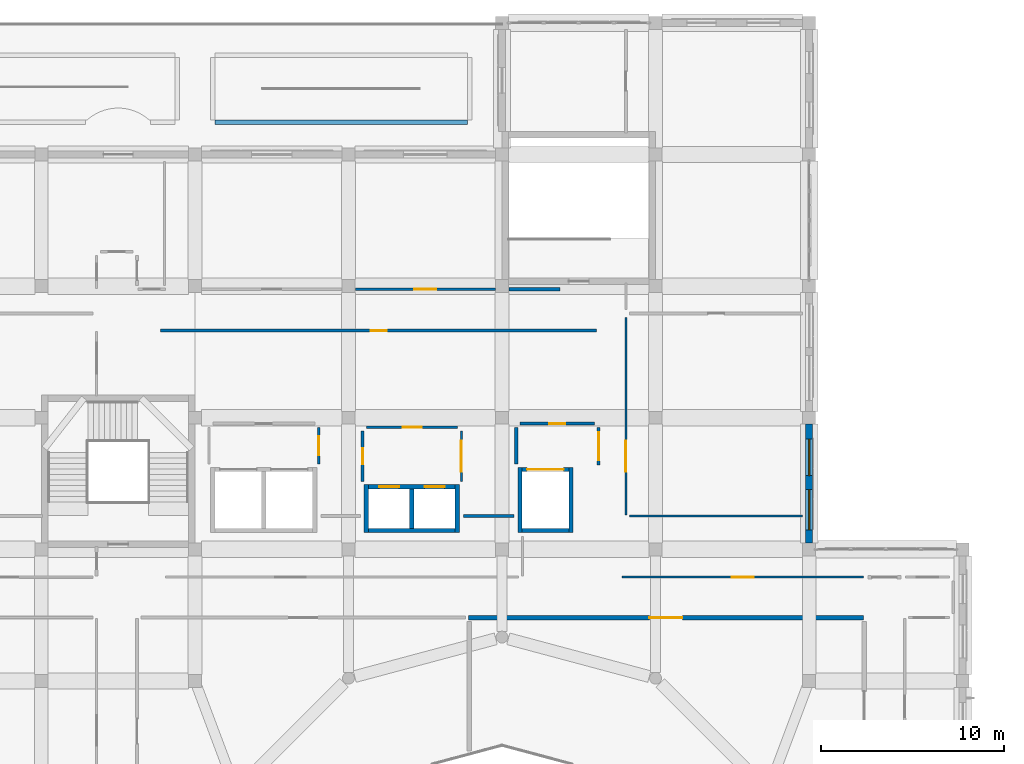
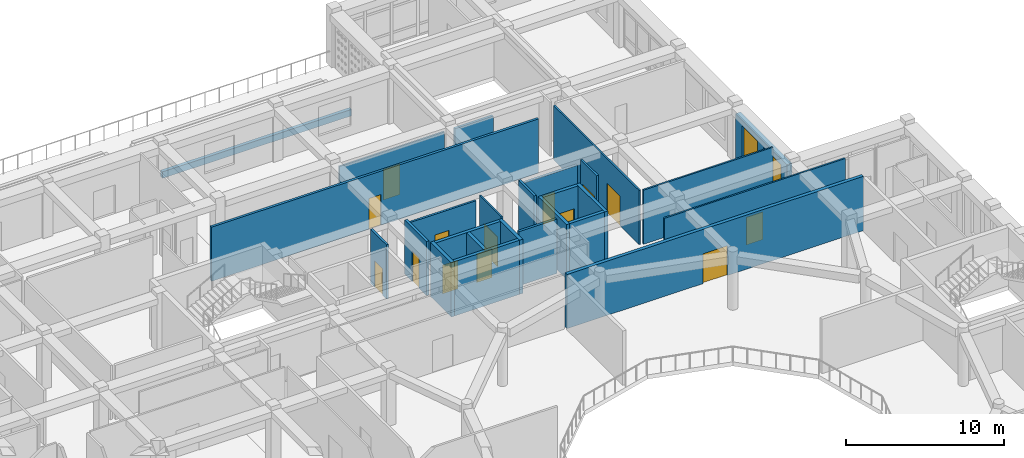
# One storey, part 49 of 79: 26 walls, 14 doors, 2 windows, 16 openings.
"""IFC4 building model written with IfcOpenShell, lengths in metres."""

from ifc_helpers import new_model, si_unit, derived_unit, direction, frame, frame_2d, origin, place, context, subcontext, project, spatial, rectangle, extrude, material, layer, layer_set, type_object, element, fill, save


model = new_model("IFC4")

# Units and contexts
model_context = context("Model", 3, precision=1e-05, world=origin(), true_north=direction((0.0, 1.0)))
body_context = subcontext(model_context, "Body", "Model", "MODEL_VIEW")
ifc_project = project(units=[si_unit("LENGTHUNIT", "METRE"), si_unit("AREAUNIT", "SQUARE_METRE"), si_unit("VOLUMEUNIT", "CUBIC_METRE"), si_unit("PLANEANGLEUNIT", "RADIAN"), si_unit("MASSUNIT", "GRAM", prefix="KILO"), derived_unit("THERMALTRANSMITTANCEUNIT", [(si_unit("POWERUNIT", "WATT"), 1), (si_unit("LENGTHUNIT", "METRE"), -2), (si_unit("THERMODYNAMICTEMPERATUREUNIT", "KELVIN"), -1)])], contexts=[model_context])

# Site, building, storey
site_placement = place(None, origin())
site = spatial("IfcSite", under=ifc_project, at=site_placement, CompositionType="ELEMENT")
building_placement = place(site_placement, origin())
building = spatial("IfcBuilding", under=site, at=building_placement, Name="Veybourne Emporium", CompositionType="ELEMENT")
storey_placement = place(building_placement, frame((0.0, 0.0, 18.89990234375)))
storey = spatial("IfcBuildingStorey", under=building, at=storey_placement, Name="L04", CompositionType="ELEMENT", Elevation=18.89990234375)

# Wall, openings, windows
ifc_material_1 = material(Name="Portland Limestone Ashlar", Category="masonry")
ifc_layer_1 = layer(ifc_material_1, 0.3798828125)
ifc_layer_set_1 = layer_set([ifc_layer_1], Name="Portland Limestone Ashlar")
wall_type_1 = type_object("IfcWallType", Name="ExtWall_EW-03", PredefinedType="SOLIDWALL", material=ifc_layer_set_1)
wall_1_placement = place(storey_placement, frame((92.39990234375, 78.85009765625, 0.0), z_axis=(0.0, 0.0, 1.0), x_axis=(0.0, -1.0, 0.0)))
wall_1 = element("IfcWall", 1, at=wall_1_placement, inside=storey, type_object=wall_type_1, Name="L04 Portland stone external wall 043", PredefinedType="SOLIDWALL", context=body_context, shape_type="SweptSolid", body=[
    extrude(rectangle(XDim=6.5, YDim=0.3798828125, at=frame_2d((3.25, 0.0))), origin(), (0.0, 0.0, 1.0), 3.630126953125),
])
opening_1_placement = place(wall_1_placement, frame((0.820068359375, 0.0, 0.75)))
opening_1 = element("IfcOpeningElement", 2, at=opening_1_placement, cuts=wall_1, Name="Opening W-29", PredefinedType="OPENING", context=body_context, shape_type="SweptSolid", body=[
    extrude(rectangle(XDim=2.0, YDim=2.43994140625, at=frame_2d((1.0, 1.219970703125))), frame((0.0, 0.2099609375, 0.0), z_axis=(0.0, -1.0, 0.0), x_axis=(1.0, 0.0, 0.0)), (0.0, 0.0, 1.0), 0.419921875),
])
opening_2_placement = place(wall_1_placement, frame((3.580078125, 0.0, 0.75)))
opening_2 = element("IfcOpeningElement", 3, at=opening_2_placement, cuts=wall_1, Name="Opening W-30", PredefinedType="OPENING", context=body_context, shape_type="SweptSolid", body=[
    extrude(rectangle(XDim=2.199951171875, YDim=2.43994140625, at=frame_2d((1.10009765625, 1.219970703125))), frame((0.0, 0.2099609375, 0.0), z_axis=(0.0, -1.0, 0.0), x_axis=(1.0, 0.0, 0.0)), (0.0, 0.0, 1.0), 0.419921875),
])
ifc_material_2 = material(Name="Low-E Triple Glazing", Category="glass")
window_type_1 = type_object("IfcWindowType", Name="Win_W-29", PartitioningType="TRIPLE_PANEL_VERTICAL", PredefinedType="WINDOW", material=ifc_material_2)
window_1_placement = place(opening_1_placement, origin())
window_1 = element("IfcWindow", 4, at=window_1_placement, inside=storey, type_object=window_type_1, Name="L04 tripartite bronze casement window W-29 (43.1)", OverallHeight=2.43994140625, OverallWidth=2.0, PartitioningType="TRIPLE_PANEL_VERTICAL", PredefinedType="WINDOW", context=body_context, shape_type="SweptSolid", body=[
    extrude(rectangle(XDim=2.0, YDim=2.43994140625, at=frame_2d((1.0, 1.219970703125))), frame((0.0, 0.030029296875, 0.0), z_axis=(0.0, -1.0, 0.0), x_axis=(1.0, 0.0, 0.0)), (0.0, 0.0, 1.0), 0.06005859375),
])
fill(opening_1, window_1)
window_type_2 = type_object("IfcWindowType", Name="Win_W-30", PartitioningType="TRIPLE_PANEL_VERTICAL", PredefinedType="WINDOW", material=ifc_material_2)
window_2_placement = place(opening_2_placement, origin())
window_2 = element("IfcWindow", 5, at=window_2_placement, inside=storey, type_object=window_type_2, Name="L04 tripartite bronze casement window W-30 (43.2)", OverallHeight=2.43994140625, OverallWidth=2.199951171875, PartitioningType="TRIPLE_PANEL_VERTICAL", PredefinedType="WINDOW", context=body_context, shape_type="SweptSolid", body=[
    extrude(rectangle(XDim=2.199951171875, YDim=2.43994140625, at=frame_2d((1.10009765625, 1.219970703125))), frame((0.0, 0.030029296875, 0.0), z_axis=(0.0, -1.0, 0.0), x_axis=(1.0, 0.0, 0.0)), (0.0, 0.0, 1.0), 0.06005859375),
])
fill(opening_2, window_2)

# Wall
ifc_material_3 = material(Name="Precast concrete C40/50", Category="concrete")
ifc_layer_2 = layer(ifc_material_3, 0.239990234375)
ifc_layer_set_2 = layer_set([ifc_layer_2], Name="Precast concrete C40/50")
wall_type_2 = type_object("IfcWallType", Name="ExtWall_PW-02", PredefinedType="PARAPET", material=ifc_layer_set_2)
wall_2_placement = place(storey_placement, frame((73.699951171875, 95.3701171875, 0.0), z_axis=(0.0, 0.0, 1.0), x_axis=(-1.0, 0.0, 0.0)))
element("IfcWall", 6, at=wall_2_placement, inside=storey, type_object=wall_type_2, Name="L04 planted roof-garden kerb 001", PredefinedType="PARAPET", context=body_context, shape_type="SweptSolid", body=[
    extrude(rectangle(XDim=13.800048828125, YDim=0.239990234375, at=frame_2d((6.89990234375, 0.0))), origin(), (0.0, 0.0, 1.0), 0.5),
])

# Wall, openings, doors
ifc_material_4 = material(Name="Concrete C40/50", Category="concrete")
ifc_layer_3 = layer(ifc_material_4, 0.239990234375)
ifc_layer_set_3 = layer_set([ifc_layer_3], Name="Concrete C40/50")
wall_type_3 = type_object("IfcWallType", Name="IntWall_CW-04", PredefinedType="SHEAR", material=ifc_layer_set_3)
wall_3_placement = place(storey_placement, frame((73.0400390625, 75.419921875, 0.0), z_axis=(0.0, 0.0, 1.0), x_axis=(-1.0, 0.0, 0.0)))
wall_3 = element("IfcWall", 7, at=wall_3_placement, inside=storey, type_object=wall_type_3, Name="Lift core C4P north shaft wall (L04)", PredefinedType="SHEAR", context=body_context, shape_type="SweptSolid", body=[
    extrude(rectangle(XDim=4.739990234375, YDim=0.239990234375, at=frame_2d((2.3701171875, 0.0))), origin(), (0.0, 0.0, 1.0), 4.18017578125),
])
opening_3_placement = place(wall_3_placement, frame((3.06494140625, 0.0, 0.0)))
opening_3 = element("IfcOpeningElement", 8, at=opening_3_placement, cuts=wall_3, Name="Opening LD-01", PredefinedType="OPENING", context=body_context, shape_type="SweptSolid", body=[
    extrude(rectangle(XDim=1.10009765625, YDim=2.199951171875, at=frame_2d((0.550048828125, 1.10009765625))), frame((0.0, 0.14013671875, 0.0), z_axis=(0.0, -1.0, 0.0), x_axis=(1.0, 0.0, 0.0)), (0.0, 0.0, 1.0), 0.280029296875),
])
opening_4_placement = place(wall_3_placement, frame((0.574951171875, 0.0, 0.0)))
opening_4 = element("IfcOpeningElement", 9, at=opening_4_placement, cuts=wall_3, Name="Opening LD-01", PredefinedType="OPENING", context=body_context, shape_type="SweptSolid", body=[
    extrude(rectangle(XDim=1.10009765625, YDim=2.199951171875, at=frame_2d((0.550048828125, 1.10009765625))), frame((0.0, 0.14013671875, 0.0), z_axis=(0.0, -1.0, 0.0), x_axis=(1.0, 0.0, 0.0)), (0.0, 0.0, 1.0), 0.280029296875),
])
ifc_material_5 = material(Name="Patinated Architectural Bronze", Category="bronze")
door_type_1 = type_object("IfcDoorType", Name="FireDoor_LD-01", OperationType="DOUBLE_DOOR_SLIDING", PredefinedType="DOOR", material=ifc_material_5)
door_1_placement = place(opening_3_placement, origin())
door_1 = element("IfcDoor", 10, at=door_1_placement, inside=storey, type_object=door_type_1, Name="Lift PL-05 sliding landing door (L04)", OperationType="DOUBLE_DOOR_SLIDING", OverallHeight=2.199951171875, OverallWidth=1.10009765625, PredefinedType="DOOR", context=body_context, shape_type="SweptSolid", body=[
    extrude(rectangle(XDim=1.10009765625, YDim=2.199951171875, at=frame_2d((0.550048828125, 1.10009765625))), frame((0.0, 0.02490234375, 0.0), z_axis=(0.0, -1.0, 0.0), x_axis=(1.0, 0.0, 0.0)), (0.0, 0.0, 1.0), 0.050048828125),
])
fill(opening_3, door_1)
door_2_placement = place(opening_4_placement, origin())
door_2 = element("IfcDoor", 11, at=door_2_placement, inside=storey, type_object=door_type_1, Name="Lift PL-06 sliding landing door (L04)", OperationType="DOUBLE_DOOR_SLIDING", OverallHeight=2.199951171875, OverallWidth=1.10009765625, PredefinedType="DOOR", context=body_context, shape_type="SweptSolid", body=[
    extrude(rectangle(XDim=1.10009765625, YDim=2.199951171875, at=frame_2d((0.550048828125, 1.10009765625))), frame((0.0, 0.02490234375, 0.0), z_axis=(0.0, -1.0, 0.0), x_axis=(1.0, 0.0, 0.0)), (0.0, 0.0, 1.0), 0.050048828125),
])
fill(opening_4, door_2)

# Walls
wall_4_placement = place(storey_placement, frame((68.300048828125, 73.030029296875, 0.0), z_axis=(0.0, 0.0, 1.0), x_axis=(1.0, 0.0, 0.0)))
element("IfcWall", 12, at=wall_4_placement, inside=storey, type_object=wall_type_3, Name="Lift core C4P south shaft wall (L04)", PredefinedType="SHEAR", context=body_context, shape_type="SweptSolid", body=[
    extrude(rectangle(XDim=4.739990234375, YDim=0.239990234375, at=frame_2d((2.3701171875, 0.0))), origin(), (0.0, 0.0, 1.0), 4.18017578125),
])
for number, where, z_axis, x_axis, name in (
    (13, (68.179931640625, 75.5400390625, 0.0), (0.0, 0.0, 1.0), (0.0, -1.0, 0.0), "Lift core C4P west shaft wall (L04)"),
    (14, (73.159912109375, 72.909912109375, 0.0), (0.0, 0.0, 1.0), (0.0, 1.0, 0.0), "Lift core C4P east shaft wall (L04)"),
):
    element("IfcWall", number, at=place(storey_placement, frame(where, z_axis=z_axis, x_axis=x_axis)), inside=storey, type_object=wall_type_3, Name=name, PredefinedType="SHEAR", context=body_context, shape_type="SweptSolid", body=[
        extrude(rectangle(XDim=2.630126953125, YDim=0.239990234375, at=frame_2d((1.31494140625, 0.0))), origin(), (0.0, 0.0, 1.0), 4.18017578125),
    ])
wall_5_placement = place(storey_placement, frame((70.669921875, 73.14990234375, 0.0), z_axis=(0.0, 0.0, 1.0), x_axis=(0.0, 1.0, 0.0)))
element("IfcWall", 15, at=wall_5_placement, inside=storey, type_object=wall_type_3, Name="Lift core C4P divider wall 1 (L04)", PredefinedType="SHEAR", context=body_context, shape_type="SweptSolid", body=[
    extrude(rectangle(XDim=2.150146484375, YDim=0.239990234375, at=frame_2d((1.0751953125, 0.0))), origin(), (0.0, 0.0, 1.0), 4.18017578125),
])

# Wall, opening, door
wall_6_placement = place(storey_placement, frame((79.25, 76.3701171875, 0.0), z_axis=(0.0, 0.0, 1.0), x_axis=(-1.0, 0.0, 0.0)))
wall_6 = element("IfcWall", 16, at=wall_6_placement, inside=storey, type_object=wall_type_3, Name="Lift core C4E north shaft wall (L04)", PredefinedType="SHEAR", context=body_context, shape_type="SweptSolid", body=[
    extrude(rectangle(XDim=2.550048828125, YDim=0.239990234375, at=frame_2d((1.27490234375, 0.0))), origin(), (0.0, 0.0, 1.0), 4.18017578125),
])
opening_5_placement = place(wall_6_placement, frame((0.27490234375, 0.0, 0.0)))
opening_5 = element("IfcOpeningElement", 17, at=opening_5_placement, cuts=wall_6, Name="Opening LD-03", PredefinedType="OPENING", context=body_context, shape_type="SweptSolid", body=[
    extrude(rectangle(XDim=2.0, YDim=2.5, at=frame_2d((1.0, 1.25))), frame((0.0, 0.14013671875, 0.0), z_axis=(0.0, -1.0, 0.0), x_axis=(1.0, 0.0, 0.0)), (0.0, 0.0, 1.0), 0.280029296875),
])
door_type_2 = type_object("IfcDoorType", Name="FireDoor_LD-03", OperationType="DOUBLE_DOOR_SLIDING", PredefinedType="DOOR", material=ifc_material_5)
door_3_placement = place(opening_5_placement, origin())
door_3 = element("IfcDoor", 18, at=door_3_placement, inside=storey, type_object=door_type_2, Name="Lift GL-03 sliding landing door (L04)", OperationType="DOUBLE_DOOR_SLIDING", OverallHeight=2.5, OverallWidth=2.0, PredefinedType="DOOR", context=body_context, shape_type="SweptSolid", body=[
    extrude(rectangle(XDim=2.0, YDim=2.5, at=frame_2d((1.0, 1.25))), frame((0.0, 0.02490234375, 0.0), z_axis=(0.0, -1.0, 0.0), x_axis=(1.0, 0.0, 0.0)), (0.0, 0.0, 1.0), 0.050048828125),
])
fill(opening_5, door_3)

# Walls
wall_7_placement = place(storey_placement, frame((76.699951171875, 73.030029296875, 0.0), z_axis=(0.0, 0.0, 1.0), x_axis=(1.0, 0.0, 0.0)))
element("IfcWall", 19, at=wall_7_placement, inside=storey, type_object=wall_type_3, Name="Lift core C4E south shaft wall (L04)", PredefinedType="SHEAR", context=body_context, shape_type="SweptSolid", body=[
    extrude(rectangle(XDim=2.550048828125, YDim=0.239990234375, at=frame_2d((1.27490234375, 0.0))), origin(), (0.0, 0.0, 1.0), 4.18017578125),
])
for number, where, z_axis, x_axis, name in (
    (20, (76.580078125, 76.489990234375, 0.0), (0.0, 0.0, 1.0), (0.0, -1.0, 0.0), "Lift core C4E west shaft wall (L04)"),
    (21, (79.3701171875, 72.909912109375, 0.0), (0.0, 0.0, 1.0), (0.0, 1.0, 0.0), "Lift core C4E east shaft wall (L04)"),
):
    element("IfcWall", number, at=place(storey_placement, frame(where, z_axis=z_axis, x_axis=x_axis)), inside=storey, type_object=wall_type_3, Name=name, PredefinedType="SHEAR", context=body_context, shape_type="SweptSolid", body=[
        extrude(rectangle(XDim=3.580078125, YDim=0.239990234375, at=frame_2d((1.7900390625, 0.0))), origin(), (0.0, 0.0, 1.0), 4.18017578125),
    ])

# Wall, opening, door
ifc_material_6 = material(Name="Concrete C32/40", Category="concrete")
ifc_layer_4 = layer(ifc_material_6, 0.25)
ifc_layer_set_4 = layer_set([ifc_layer_4], Name="Concrete C32/40")
wall_type_4 = type_object("IfcWallType", Name="IntWall_FW-01", PredefinedType="SOLIDWALL", material=ifc_layer_set_4)
wall_8_placement = place(storey_placement, frame((73.7548828125, 68.27001953125, 0.0), z_axis=(0.0, 0.0, 1.0), x_axis=(1.0, 0.0, 0.0)))
wall_8 = element("IfcWall", 22, at=wall_8_placement, inside=storey, type_object=wall_type_4, Name="L04 interior partition FW-01 #005", PredefinedType="SOLIDWALL", context=body_context, shape_type="SweptSolid", body=[
    extrude(rectangle(XDim=21.615234375, YDim=0.25, at=frame_2d((10.8076171875, 0.0))), origin(), (0.0, 0.0, 1.0), 4.18017578125),
])
opening_6_placement = place(wall_8_placement, frame((9.907470703125, 0.0, 0.0)))
opening_6 = element("IfcOpeningElement", 23, at=opening_6_placement, cuts=wall_8, Name="Opening FD-03", PredefinedType="OPENING", context=body_context, shape_type="SweptSolid", body=[
    extrude(rectangle(XDim=1.800048828125, YDim=2.300048828125, at=frame_2d((0.89990234375, 1.14990234375))), frame((0.0, 0.14501953125, 0.0), z_axis=(0.0, -1.0, 0.0), x_axis=(1.0, 0.0, 0.0)), (0.0, 0.0, 1.0), 0.2900390625),
])
door_type_3 = type_object("IfcDoorType", Name="FireDoor_FD-03", OperationType="DOUBLE_DOOR_SINGLE_SWING", PredefinedType="DOOR", material=ifc_material_5)
door_4_placement = place(opening_6_placement, origin())
door_4 = element("IfcDoor", 24, at=door_4_placement, inside=storey, type_object=door_type_3, Name="L04 interior door FD-03 (PART-L04-005)", OperationType="DOUBLE_DOOR_SINGLE_SWING", OverallHeight=2.300048828125, OverallWidth=1.800048828125, PredefinedType="DOOR", context=body_context, shape_type="SweptSolid", body=[
    extrude(rectangle(XDim=1.800048828125, YDim=2.300048828125, at=frame_2d((0.89990234375, 1.14990234375))), frame((0.0, 0.02490234375, 0.0), z_axis=(0.0, -1.0, 0.0), x_axis=(1.0, 0.0, 0.0)), (0.0, 0.0, 1.0), 0.050048828125),
])
fill(opening_6, door_4)

ifc_material_7 = material(Name="Gypsum Acoustic Board", Category="gypsum")
ifc_layer_5 = layer(ifc_material_7, 0.179931640625)
ifc_layer_set_5 = layer_set([ifc_layer_5], Name="Gypsum Acoustic Board")
wall_type_5 = type_object("IfcWallType", Name="IntWall_IW-01", PredefinedType="PARTITIONING", material=ifc_layer_set_5)
wall_9_placement = place(storey_placement, frame((56.919921875, 83.969970703125, 0.0), z_axis=(0.0, 0.0, 1.0), x_axis=(1.0, 0.0, 0.0)))
wall_9 = element("IfcWall", 25, at=wall_9_placement, inside=storey, type_object=wall_type_5, Name="L04 interior partition IW-01 #001", PredefinedType="PARTITIONING", context=body_context, shape_type="SweptSolid", body=[
    extrude(rectangle(XDim=23.85009765625, YDim=0.179931640625, at=frame_2d((11.925048828125, 0.0))), origin(), (0.0, 0.0, 1.0), 4.18017578125),
])
opening_7_placement = place(wall_9_placement, frame((11.485107421875, 0.0, 0.0)))
opening_7 = element("IfcOpeningElement", 26, at=opening_7_placement, cuts=wall_9, Name="Opening D-25", PredefinedType="OPENING", context=body_context, shape_type="SweptSolid", body=[
    extrude(rectangle(XDim=0.8798828125, YDim=2.3701171875, at=frame_2d((0.43994140625, 1.18505859375))), frame((0.0, 0.10986328125, 0.0), z_axis=(0.0, -1.0, 0.0), x_axis=(1.0, 0.0, 0.0)), (0.0, 0.0, 1.0), 0.219970703125),
])
ifc_material_8 = material(Name="European Oak Veneer and Bronze", Category="wood")
door_type_4 = type_object("IfcDoorType", Name="IntDoor_D-25", OperationType="NOTDEFINED", PredefinedType="DOOR", material=ifc_material_8)
door_5_placement = place(opening_7_placement, origin())
door_5 = element("IfcDoor", 27, at=door_5_placement, inside=storey, type_object=door_type_4, Name="L04 interior door D-25 (PART-L04-001)", OperationType="SINGLE_SWING_LEFT", OverallHeight=2.3701171875, OverallWidth=0.8798828125, PredefinedType="DOOR", context=body_context, shape_type="SweptSolid", body=[
    extrude(rectangle(XDim=0.8798828125, YDim=2.3701171875, at=frame_2d((0.43994140625, 1.18505859375))), frame((0.0, 0.02490234375, 0.0), z_axis=(0.0, -1.0, 0.0), x_axis=(1.0, 0.0, 0.0)), (0.0, 0.0, 1.0), 0.050048828125),
])
fill(opening_7, door_5)

# Wall
wall_10_placement = place(storey_placement, frame((75.969970703125, 86.22998046875, 0.0), z_axis=(0.0, 0.0, 1.0), x_axis=(1.0, 0.0, 0.0)))
element("IfcWall", 28, at=wall_10_placement, inside=storey, type_object=wall_type_5, Name="L04 interior partition IW-01 #004", PredefinedType="PARTITIONING", context=body_context, shape_type="SweptSolid", body=[
    extrude(rectangle(XDim=2.802978515625, YDim=0.179931640625, at=frame_2d((1.4013671875, 0.0))), origin(), (0.0, 0.0, 1.0), 3.72998046875),
])

# Wall, opening, door
wall_11_placement = place(storey_placement, frame((76.580078125, 78.8798828125, 0.0), z_axis=(0.0, 0.0, 1.0), x_axis=(1.0, 0.0, 0.0)))
wall_11 = element("IfcWall", 29, at=wall_11_placement, inside=storey, type_object=wall_type_5, Name="L04 interior partition IW-01 #061", PredefinedType="PARTITIONING", context=body_context, shape_type="SweptSolid", body=[
    extrude(rectangle(XDim=4.08984375, YDim=0.179931640625, at=frame_2d((2.044921875, 0.0))), origin(), (0.0, 0.0, 1.0), 3.72998046875),
])
opening_8_placement = place(wall_11_placement, frame((1.60498046875, 0.0, 0.0)))
opening_8 = element("IfcOpeningElement", 30, at=opening_8_placement, cuts=wall_11, Name="Opening D-13", PredefinedType="OPENING", context=body_context, shape_type="SweptSolid", body=[
    extrude(rectangle(XDim=0.8798828125, YDim=2.2099609375, at=frame_2d((0.43994140625, 1.10498046875))), frame((0.0, 0.10986328125, 0.0), z_axis=(0.0, -1.0, 0.0), x_axis=(1.0, 0.0, 0.0)), (0.0, 0.0, 1.0), 0.219970703125),
])
door_type_5 = type_object("IfcDoorType", Name="IntDoor_D-13", OperationType="NOTDEFINED", PredefinedType="DOOR", material=ifc_material_8)
door_6_placement = place(opening_8_placement, origin())
door_6 = element("IfcDoor", 31, at=door_6_placement, inside=storey, type_object=door_type_5, Name="L04 interior door D-13 (PART-L04-061)", OperationType="SINGLE_SWING_LEFT", OverallHeight=2.2099609375, OverallWidth=0.8798828125, PredefinedType="DOOR", context=body_context, shape_type="SweptSolid", body=[
    extrude(rectangle(XDim=0.8798828125, YDim=2.2099609375, at=frame_2d((0.43994140625, 1.10498046875))), frame((0.0, 0.02490234375, 0.0), z_axis=(0.0, -1.0, 0.0), x_axis=(1.0, 0.0, 0.0)), (0.0, 0.0, 1.0), 0.050048828125),
])
fill(opening_8, door_6)

wall_12_placement = place(storey_placement, frame((67.969970703125, 75.721923828125, 0.0), z_axis=(0.0, 0.0, 1.0), x_axis=(0.0, 1.0, 0.0)))
wall_12 = element("IfcWall", 32, at=wall_12_placement, inside=storey, type_object=wall_type_5, Name="L04 interior partition IW-01 #073", PredefinedType="PARTITIONING", context=body_context, shape_type="SweptSolid", body=[
    extrude(rectangle(XDim=2.748046875, YDim=0.179931640625, at=frame_2d((1.3740234375, 0.0))), origin(), (0.0, 0.0, 1.0), 4.18017578125),
])
opening_9_placement = place(wall_12_placement, frame((0.93408203125, 0.0, 0.0)))
opening_9 = element("IfcOpeningElement", 33, at=opening_9_placement, cuts=wall_12, Name="Opening D-25", PredefinedType="OPENING", context=body_context, shape_type="SweptSolid", body=[
    extrude(rectangle(XDim=0.8798828125, YDim=2.3701171875, at=frame_2d((0.43994140625, 1.18505859375))), frame((0.0, 0.10986328125, 0.0), z_axis=(0.0, -1.0, 0.0), x_axis=(1.0, 0.0, 0.0)), (0.0, 0.0, 1.0), 0.219970703125),
])
door_7_placement = place(opening_9_placement, origin())
door_7 = element("IfcDoor", 34, at=door_7_placement, inside=storey, type_object=door_type_4, Name="L04 interior door D-25 (PART-L04-073)", OperationType="SINGLE_SWING_LEFT", OverallHeight=2.3701171875, OverallWidth=0.8798828125, PredefinedType="DOOR", context=body_context, shape_type="SweptSolid", body=[
    extrude(rectangle(XDim=0.8798828125, YDim=2.3701171875, at=frame_2d((0.43994140625, 1.18505859375))), frame((0.0, 0.02490234375, 0.0), z_axis=(0.0, -1.0, 0.0), x_axis=(1.0, 0.0, 0.0)), (0.0, 0.0, 1.0), 0.050048828125),
])
fill(opening_9, door_7)

# Walls
wall_13_placement = place(storey_placement, frame((76.3701171875, 76.672119140625, 0.0), z_axis=(0.0, 0.0, 1.0), x_axis=(0.0, 1.0, 0.0)))
element("IfcWall", 35, at=wall_13_placement, inside=storey, type_object=wall_type_5, Name="L04 interior partition IW-01 #088", PredefinedType="PARTITIONING", context=body_context, shape_type="SweptSolid", body=[
    extrude(rectangle(XDim=1.997802734375, YDim=0.179931640625, at=frame_2d((0.9990234375, 0.0))), origin(), (0.0, 0.0, 1.0), 4.18017578125),
])
wall_14_placement = place(storey_placement, frame((73.489990234375, 73.830078125, 0.0), z_axis=(0.0, 0.0, 1.0), x_axis=(1.0, 0.0, 0.0)))
element("IfcWall", 36, at=wall_14_placement, inside=storey, type_object=wall_type_5, Name="L04 interior partition IW-01 #130", PredefinedType="PARTITIONING", context=body_context, shape_type="SweptSolid", body=[
    extrude(rectangle(XDim=2.760009765625, YDim=0.179931640625, at=frame_2d((1.3798828125, 0.0))), origin(), (0.0, 0.0, 1.0), 4.18017578125),
])

# Wall, opening, door
ifc_layer_6 = layer(ifc_material_7, 0.14990234375)
ifc_layer_set_6 = layer_set([ifc_layer_6], Name="Gypsum Acoustic Board")
wall_type_6 = type_object("IfcWallType", Name="IntWall_IW-02", PredefinedType="PARTITIONING", material=ifc_layer_set_6)
wall_15_placement = place(storey_placement, frame((68.179931640625, 78.679931640625, 0.0), z_axis=(0.0, 0.0, 1.0), x_axis=(1.0, 0.0, 0.0)))
wall_15 = element("IfcWall", 37, at=wall_15_placement, inside=storey, type_object=wall_type_6, Name="L04 interior partition IW-02 #056", PredefinedType="PARTITIONING", context=body_context, shape_type="SweptSolid", body=[
    extrude(rectangle(XDim=4.989990234375, YDim=0.14990234375, at=frame_2d((2.4951171875, 0.0))), origin(), (0.0, 0.0, 1.0), 3.72998046875),
])
opening_10_placement = place(wall_15_placement, frame((1.97509765625, 0.0, 0.0)))
opening_10 = element("IfcOpeningElement", 38, at=opening_10_placement, cuts=wall_15, Name="Opening D-08", PredefinedType="OPENING", context=body_context, shape_type="SweptSolid", body=[
    extrude(rectangle(XDim=1.0400390625, YDim=2.1298828125, at=frame_2d((0.52001953125, 1.06494140625))), frame((0.0, 0.094970703125, 0.0), z_axis=(0.0, -1.0, 0.0), x_axis=(1.0, 0.0, 0.0)), (0.0, 0.0, 1.0), 0.18994140625),
])
door_type_6 = type_object("IfcDoorType", Name="IntDoor_D-08", OperationType="NOTDEFINED", PredefinedType="DOOR", material=ifc_material_8)
door_8_placement = place(opening_10_placement, origin())
door_8 = element("IfcDoor", 39, at=door_8_placement, inside=storey, type_object=door_type_6, Name="L04 interior door D-08 (PART-L04-056)", OperationType="SINGLE_SWING_LEFT", OverallHeight=2.1298828125, OverallWidth=1.0400390625, PredefinedType="DOOR", context=body_context, shape_type="SweptSolid", body=[
    extrude(rectangle(XDim=1.0400390625, YDim=2.1298828125, at=frame_2d((0.52001953125, 1.06494140625))), frame((0.0, 0.02490234375, 0.0), z_axis=(0.0, -1.0, 0.0), x_axis=(1.0, 0.0, 0.0)), (0.0, 0.0, 1.0), 0.050048828125),
])
fill(opening_10, door_8)

wall_16_placement = place(storey_placement, frame((80.8798828125, 76.6201171875, 0.0), z_axis=(0.0, 0.0, 1.0), x_axis=(0.0, 1.0, 0.0)))
wall_16 = element("IfcWall", 40, at=wall_16_placement, inside=storey, type_object=wall_type_6, Name="L04 interior partition IW-02 #083", PredefinedType="PARTITIONING", context=body_context, shape_type="SweptSolid", body=[
    extrude(rectangle(XDim=2.0498046875, YDim=0.14990234375, at=frame_2d((1.02490234375, 0.0))), origin(), (0.0, 0.0, 1.0), 4.18017578125),
])
opening_11_placement = place(wall_16_placement, frame((0.264892578125, 0.0, 0.0)))
opening_11 = element("IfcOpeningElement", 41, at=opening_11_placement, cuts=wall_16, Name="Opening D-35", PredefinedType="OPENING", context=body_context, shape_type="SweptSolid", body=[
    extrude(rectangle(XDim=1.52001953125, YDim=2.449951171875, at=frame_2d((0.760009765625, 1.22509765625))), frame((0.0, 0.094970703125, 0.0), z_axis=(0.0, -1.0, 0.0), x_axis=(1.0, 0.0, 0.0)), (0.0, 0.0, 1.0), 0.18994140625),
])
door_type_7 = type_object("IfcDoorType", Name="IntDoor_D-35", OperationType="NOTDEFINED", PredefinedType="DOOR", material=ifc_material_8)
door_9_placement = place(opening_11_placement, origin())
door_9 = element("IfcDoor", 42, at=door_9_placement, inside=storey, type_object=door_type_7, Name="L04 interior door D-35 (PART-L04-083)", OperationType="SINGLE_SWING_RIGHT", OverallHeight=2.449951171875, OverallWidth=1.52001953125, PredefinedType="DOOR", context=body_context, shape_type="SweptSolid", body=[
    extrude(rectangle(XDim=1.52001953125, YDim=2.449951171875, at=frame_2d((0.760009765625, 1.22509765625))), frame((0.0, 0.02490234375, 0.0), z_axis=(0.0, -1.0, 0.0), x_axis=(1.0, 0.0, 0.0)), (0.0, 0.0, 1.0), 0.050048828125),
])
fill(opening_11, door_9)

wall_17_placement = place(storey_placement, frame((65.580078125, 76.6650390625, 0.0), z_axis=(0.0, 0.0, 1.0), x_axis=(0.0, 1.0, 0.0)))
wall_17 = element("IfcWall", 43, at=wall_17_placement, inside=storey, type_object=wall_type_6, Name="L04 interior partition IW-02 #086", PredefinedType="PARTITIONING", context=body_context, shape_type="SweptSolid", body=[
    extrude(rectangle(XDim=2.0048828125, YDim=0.14990234375, at=frame_2d((1.00244140625, 0.0))), origin(), (0.0, 0.0, 1.0), 4.18017578125),
])
opening_12_placement = place(wall_17_placement, frame((0.482421875, 0.0, 0.0)))
opening_12 = element("IfcOpeningElement", 44, at=opening_12_placement, cuts=wall_17, Name="Opening D-02", PredefinedType="OPENING", context=body_context, shape_type="SweptSolid", body=[
    extrude(rectangle(XDim=1.0400390625, YDim=2.050048828125, at=frame_2d((0.52001953125, 1.02490234375))), frame((0.0, 0.094970703125, 0.0), z_axis=(0.0, -1.0, 0.0), x_axis=(1.0, 0.0, 0.0)), (0.0, 0.0, 1.0), 0.18994140625),
])
door_type_8 = type_object("IfcDoorType", Name="IntDoor_D-02", OperationType="NOTDEFINED", PredefinedType="DOOR", material=ifc_material_8)
door_10_placement = place(opening_12_placement, origin())
door_10 = element("IfcDoor", 45, at=door_10_placement, inside=storey, type_object=door_type_8, Name="L04 interior door D-02 (PART-L04-086)", OperationType="SINGLE_SWING_LEFT", OverallHeight=2.050048828125, OverallWidth=1.0400390625, PredefinedType="DOOR", context=body_context, shape_type="SweptSolid", body=[
    extrude(rectangle(XDim=1.0400390625, YDim=2.050048828125, at=frame_2d((0.52001953125, 1.02490234375))), frame((0.0, 0.02490234375, 0.0), z_axis=(0.0, -1.0, 0.0), x_axis=(1.0, 0.0, 0.0)), (0.0, 0.0, 1.0), 0.050048828125),
])
fill(opening_12, door_10)

ifc_layer_7 = layer(ifc_material_7, 0.1201171875)
ifc_layer_set_7 = layer_set([ifc_layer_7], Name="Gypsum Acoustic Board")
wall_type_7 = type_object("IfcWallType", Name="IntWall_IW-03", PredefinedType="PARTITIONING", material=ifc_layer_set_7)
wall_18_placement = place(storey_placement, frame((67.570068359375, 86.22998046875, 0.0), z_axis=(0.0, 0.0, 1.0), x_axis=(1.0, 0.0, 0.0)))
wall_18 = element("IfcWall", 46, at=wall_18_placement, inside=storey, type_object=wall_type_7, Name="L04 interior partition IW-03 #003", PredefinedType="PARTITIONING", context=body_context, shape_type="SweptSolid", body=[
    extrude(rectangle(XDim=7.659912109375, YDim=0.1201171875, at=frame_2d((3.830078125, 0.0))), origin(), (0.0, 0.0, 1.0), 3.72998046875),
])
opening_13_placement = place(wall_18_placement, frame((3.22998046875, 0.0, 0.0)))
opening_13 = element("IfcOpeningElement", 47, at=opening_13_placement, cuts=wall_18, Name="Opening D-27", PredefinedType="OPENING", context=body_context, shape_type="SweptSolid", body=[
    extrude(rectangle(XDim=1.199951171875, YDim=2.3701171875, at=frame_2d((0.60009765625, 1.18505859375))), frame((0.0, 0.080078125, 0.0), z_axis=(0.0, -1.0, 0.0), x_axis=(1.0, 0.0, 0.0)), (0.0, 0.0, 1.0), 0.16015625),
])
door_type_9 = type_object("IfcDoorType", Name="IntDoor_D-27", OperationType="NOTDEFINED", PredefinedType="DOOR", material=ifc_material_8)
door_11_placement = place(opening_13_placement, origin())
door_11 = element("IfcDoor", 48, at=door_11_placement, inside=storey, type_object=door_type_9, Name="L04 interior door D-27 (PART-L04-003)", OperationType="SINGLE_SWING_LEFT", OverallHeight=2.3701171875, OverallWidth=1.199951171875, PredefinedType="DOOR", context=body_context, shape_type="SweptSolid", body=[
    extrude(rectangle(XDim=1.199951171875, YDim=2.3701171875, at=frame_2d((0.60009765625, 1.18505859375))), frame((0.0, 0.02490234375, 0.0), z_axis=(0.0, -1.0, 0.0), x_axis=(1.0, 0.0, 0.0)), (0.0, 0.0, 1.0), 0.050048828125),
])
fill(opening_13, door_11)

wall_19_placement = place(storey_placement, frame((82.166015625, 70.47998046875, 0.0), z_axis=(0.0, 0.0, 1.0), x_axis=(1.0, 0.0, 0.0)))
wall_19 = element("IfcWall", 49, at=wall_19_placement, inside=storey, type_object=wall_type_7, Name="L04 interior partition IW-03 #021", PredefinedType="PARTITIONING", context=body_context, shape_type="SweptSolid", body=[
    extrude(rectangle(XDim=13.2041015625, YDim=0.1201171875, at=frame_2d((6.60205078125, 0.0))), origin(), (0.0, 0.0, 1.0), 4.18017578125),
])
opening_14_placement = place(wall_19_placement, frame((6.001953125, 0.0, 0.0)))
opening_14 = element("IfcOpeningElement", 50, at=opening_14_placement, cuts=wall_19, Name="Opening D-09", PredefinedType="OPENING", context=body_context, shape_type="SweptSolid", body=[
    extrude(rectangle(XDim=1.199951171875, YDim=2.1298828125, at=frame_2d((0.60009765625, 1.06494140625))), frame((0.0, 0.080078125, 0.0), z_axis=(0.0, -1.0, 0.0), x_axis=(1.0, 0.0, 0.0)), (0.0, 0.0, 1.0), 0.16015625),
])
door_type_10 = type_object("IfcDoorType", Name="IntDoor_D-09", OperationType="NOTDEFINED", PredefinedType="DOOR", material=ifc_material_8)
door_12_placement = place(opening_14_placement, origin())
door_12 = element("IfcDoor", 51, at=door_12_placement, inside=storey, type_object=door_type_10, Name="L04 interior door D-09 (PART-L04-021)", OperationType="SINGLE_SWING_LEFT", OverallHeight=2.1298828125, OverallWidth=1.199951171875, PredefinedType="DOOR", context=body_context, shape_type="SweptSolid", body=[
    extrude(rectangle(XDim=1.199951171875, YDim=2.1298828125, at=frame_2d((0.60009765625, 1.06494140625))), frame((0.0, 0.02490234375, 0.0), z_axis=(0.0, -1.0, 0.0), x_axis=(1.0, 0.0, 0.0)), (0.0, 0.0, 1.0), 0.050048828125),
])
fill(opening_14, door_12)

wall_20_placement = place(storey_placement, frame((73.3798828125, 75.715087890625, 0.0), z_axis=(0.0, 0.0, 1.0), x_axis=(0.0, 1.0, 0.0)))
wall_20 = element("IfcWall", 52, at=wall_20_placement, inside=storey, type_object=wall_type_7, Name="L04 interior partition IW-03 #072", PredefinedType="PARTITIONING", context=body_context, shape_type="SweptSolid", body=[
    extrude(rectangle(XDim=2.7548828125, YDim=0.1201171875, at=frame_2d((1.37744140625, 0.0))), origin(), (0.0, 0.0, 1.0), 4.18017578125),
])
opening_15_placement = place(wall_20_placement, frame((0.53759765625, 0.0, 0.0)))
opening_15 = element("IfcOpeningElement", 53, at=opening_15_placement, cuts=wall_20, Name="Opening D-24", PredefinedType="OPENING", context=body_context, shape_type="SweptSolid", body=[
    extrude(rectangle(XDim=1.679931640625, YDim=2.2900390625, at=frame_2d((0.83984375, 1.14501953125))), frame((0.0, 0.080078125, 0.0), z_axis=(0.0, -1.0, 0.0), x_axis=(1.0, 0.0, 0.0)), (0.0, 0.0, 1.0), 0.16015625),
])
door_type_11 = type_object("IfcDoorType", Name="IntDoor_D-24", OperationType="DOUBLE_DOOR_SINGLE_SWING", PredefinedType="DOOR", material=ifc_material_8)
door_13_placement = place(opening_15_placement, origin())
door_13 = element("IfcDoor", 54, at=door_13_placement, inside=storey, type_object=door_type_11, Name="L04 interior door D-24 (PART-L04-072)", OperationType="DOUBLE_DOOR_SINGLE_SWING", OverallHeight=2.2900390625, OverallWidth=1.679931640625, PredefinedType="DOOR", context=body_context, shape_type="SweptSolid", body=[
    extrude(rectangle(XDim=1.679931640625, YDim=2.2900390625, at=frame_2d((0.83984375, 1.14501953125))), frame((0.0, 0.02490234375, 0.0), z_axis=(0.0, -1.0, 0.0), x_axis=(1.0, 0.0, 0.0)), (0.0, 0.0, 1.0), 0.050048828125),
])
fill(opening_15, door_13)

wall_21_placement = place(storey_placement, frame((82.3759765625, 73.8798828125, 0.0), z_axis=(0.0, 0.0, 1.0), x_axis=(0.0, 1.0, 0.0)))
wall_21 = element("IfcWall", 55, at=wall_21_placement, inside=storey, type_object=wall_type_7, Name="L04 interior partition IW-03 #117", PredefinedType="PARTITIONING", context=body_context, shape_type="SweptSolid", body=[
    extrude(rectangle(XDim=10.817138671875, YDim=0.1201171875, at=frame_2d((5.40869140625, 0.0))), origin(), (0.0, 0.0, 1.0), 4.18017578125),
])
opening_16_placement = place(wall_21_placement, frame((2.37548828125, 0.0, 0.0)))
opening_16 = element("IfcOpeningElement", 56, at=opening_16_placement, cuts=wall_21, Name="Opening D-24", PredefinedType="OPENING", context=body_context, shape_type="SweptSolid", body=[
    extrude(rectangle(XDim=1.679931640625, YDim=2.2900390625, at=frame_2d((0.83984375, 1.14501953125))), frame((0.0, 0.080078125, 0.0), z_axis=(0.0, -1.0, 0.0), x_axis=(1.0, 0.0, 0.0)), (0.0, 0.0, 1.0), 0.16015625),
])
door_14_placement = place(opening_16_placement, origin())
door_14 = element("IfcDoor", 57, at=door_14_placement, inside=storey, type_object=door_type_11, Name="L04 interior door D-24 (PART-L04-117)", OperationType="DOUBLE_DOOR_SINGLE_SWING", OverallHeight=2.2900390625, OverallWidth=1.679931640625, PredefinedType="DOOR", context=body_context, shape_type="SweptSolid", body=[
    extrude(rectangle(XDim=1.679931640625, YDim=2.2900390625, at=frame_2d((0.83984375, 1.14501953125))), frame((0.0, 0.02490234375, 0.0), z_axis=(0.0, -1.0, 0.0), x_axis=(1.0, 0.0, 0.0)), (0.0, 0.0, 1.0), 0.050048828125),
])
fill(opening_16, door_14)

# Wall
wall_22_placement = place(storey_placement, frame((82.5859375, 73.830078125, 0.0), z_axis=(0.0, 0.0, 1.0), x_axis=(1.0, 0.0, 0.0)))
element("IfcWall", 58, at=wall_22_placement, inside=storey, type_object=wall_type_7, Name="L04 interior partition IW-03 #120", PredefinedType="PARTITIONING", context=body_context, shape_type="SweptSolid", body=[
    extrude(rectangle(XDim=9.444091796875, YDim=0.1201171875, at=frame_2d((4.72216796875, 0.0))), origin(), (0.0, 0.0, 1.0), 4.18017578125),
])

save(model, "model.ifc")
